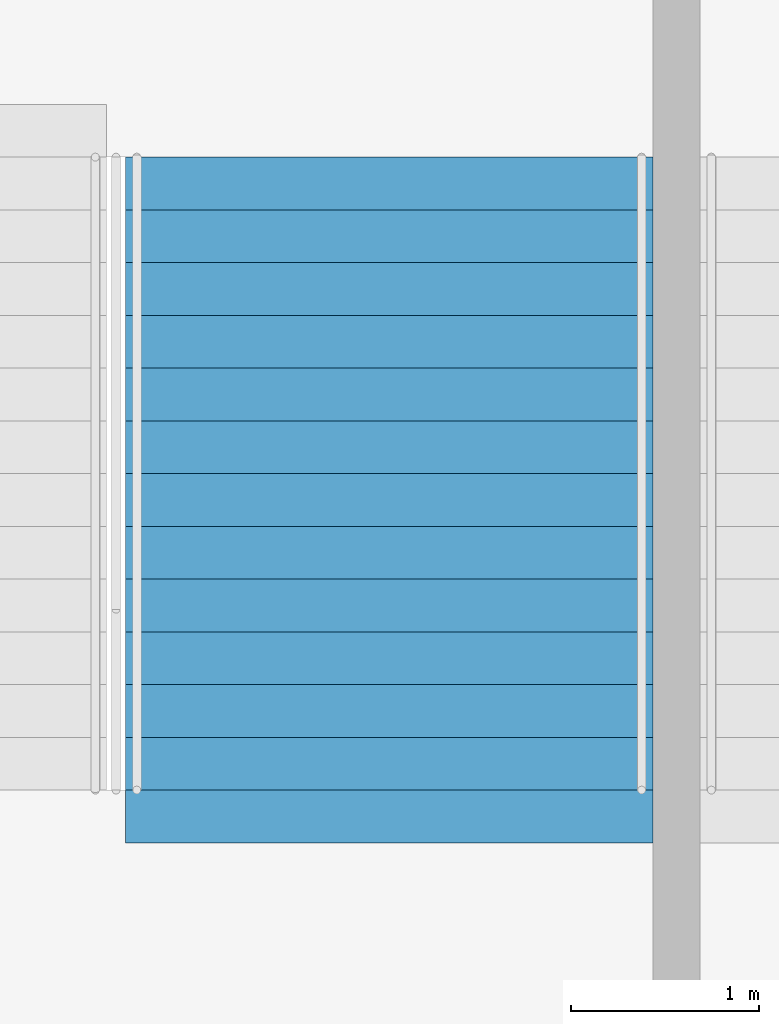
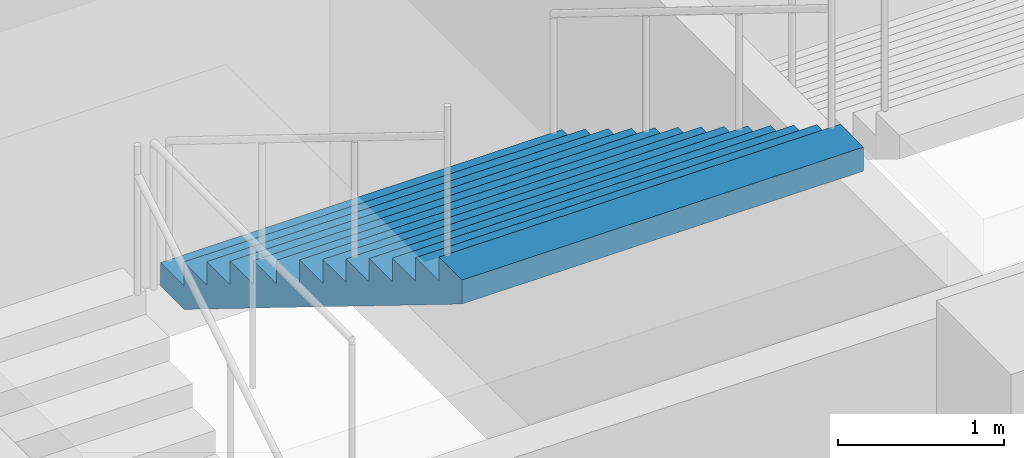
# One storey, part 167 of 199: 1 stair flight, 1 element without a shape of its own.
"""IFC4 building model written with IfcOpenShell, lengths in metres."""

from ifc_helpers import new_model, si_unit, direction, frame, origin, place, context, subcontext, project, spatial, faceted_brep, material, type_object, element, aggregate, save


model = new_model("IFC4")

# Units and contexts
model_context = context("Model", 3, precision=1e-05, world=origin(), true_north=direction((0.0, 1.0)))
body_context = subcontext(model_context, "Body", "Model", "MODEL_VIEW")
ifc_project = project(units=[si_unit("LENGTHUNIT", "METRE"), si_unit("AREAUNIT", "SQUARE_METRE"), si_unit("VOLUMEUNIT", "CUBIC_METRE"), si_unit("PLANEANGLEUNIT", "RADIAN"), si_unit("MASSUNIT", "GRAM", prefix="KILO")], contexts=[model_context])

# Site, building, storey
site_placement = place(None, origin())
site = spatial("IfcSite", under=ifc_project, at=site_placement, CompositionType="ELEMENT")
building_placement = place(site_placement, origin())
building = spatial("IfcBuilding", under=site, at=building_placement, Name="Ogive Plaza Stadium", CompositionType="ELEMENT")
storey_placement = place(building_placement, frame((0.0, 0.0, 4.5)))
storey = spatial("IfcBuildingStorey", under=building, at=storey_placement, Name="L01", CompositionType="ELEMENT", Elevation=4.5)

# Stair, stair flight
ifc_material_1 = material(Name="Concrete C40/50", Category="concrete")
stair_type = type_object("IfcStairType", Name="Exit stair", PredefinedType="STRAIGHT_RUN_STAIR", material=ifc_material_1)
stair_placement = place(storey_placement, origin())
stair = element("IfcStair", 1, at=stair_placement, inside=storey, type_object=stair_type, Name="Exit stair ST34B L01 to L02", PredefinedType="STRAIGHT_RUN_STAIR")
ifc_material_2 = material(Name="Concrete C40/50", Category="concrete")
stair_flight_type = type_object("IfcStairFlightType", Name="Exit stair flight", PredefinedType="STRAIGHT", material=ifc_material_2)
stair_flight_placement = place(storey_placement, frame((-8.324951171875, 98.2099609375, 2.25), z_axis=(0.0, 0.0, 1.0), x_axis=(0.0, -1.0, 0.0)))
stair_flight = element("IfcStairFlight", 2, at=stair_flight_placement, type_object=stair_flight_type, Name="ST34B flight 2", NumberOfRisers=13, NumberOfTreads=12, PredefinedType="STRAIGHT", RiserHeight=0.173076923, TreadLength=0.28, context=body_context, shape_type="Brep", body=[
    faceted_brep([(0.28515625, -1.39990234375, 0.0), (3.639892578125, -1.39990234375, 2.07373046875), (3.639892578125, -1.39990234375, 2.25), (3.360107421875, -1.39990234375, 2.25), (3.360107421875, -1.39990234375, 2.076904296875), (3.080078125, -1.39990234375, 2.076904296875), (3.080078125, -1.39990234375, 1.90380859375), (2.800048828125, -1.39990234375, 1.90380859375), (2.800048828125, -1.39990234375, 1.730712890625), (2.52001953125, -1.39990234375, 1.730712890625), (2.52001953125, -1.39990234375, 1.5576171875), (2.239990234375, -1.39990234375, 1.5576171875), (2.239990234375, -1.39990234375, 1.384521484375), (1.9599609375, -1.39990234375, 1.384521484375), (1.9599609375, -1.39990234375, 1.21142578125), (1.679931640625, -1.39990234375, 1.21142578125), (1.679931640625, -1.39990234375, 1.03857421875), (1.39990234375, -1.39990234375, 1.03857421875), (1.39990234375, -1.39990234375, 0.865478515625), (1.1201171875, -1.39990234375, 0.865478515625), (1.1201171875, -1.39990234375, 0.6923828125), (0.840087890625, -1.39990234375, 0.6923828125), (0.840087890625, -1.39990234375, 0.519287109375), (0.56005859375, -1.39990234375, 0.519287109375), (0.56005859375, -1.39990234375, 0.34619140625), (0.280029296875, -1.39990234375, 0.34619140625), (0.280029296875, -1.39990234375, 0.173095703125), (0.0, -1.39990234375, 0.173095703125), (0.0, -1.39990234375, 0.0), (0.0, 1.39990234375, 0.0), (0.0, 1.39990234375, 0.173095703125), (0.280029296875, 1.39990234375, 0.173095703125), (0.280029296875, 1.39990234375, 0.34619140625), (0.56005859375, 1.39990234375, 0.34619140625), (0.56005859375, 1.39990234375, 0.519287109375), (0.840087890625, 1.39990234375, 0.519287109375), (0.840087890625, 1.39990234375, 0.6923828125), (1.1201171875, 1.39990234375, 0.6923828125), (1.1201171875, 1.39990234375, 0.865478515625), (1.39990234375, 1.39990234375, 0.865478515625), (1.39990234375, 1.39990234375, 1.03857421875), (1.679931640625, 1.39990234375, 1.03857421875), (1.679931640625, 1.39990234375, 1.21142578125), (1.9599609375, 1.39990234375, 1.21142578125), (1.9599609375, 1.39990234375, 1.384521484375), (2.239990234375, 1.39990234375, 1.384521484375), (2.239990234375, 1.39990234375, 1.5576171875), (2.52001953125, 1.39990234375, 1.5576171875), (2.52001953125, 1.39990234375, 1.730712890625), (2.800048828125, 1.39990234375, 1.730712890625), (2.800048828125, 1.39990234375, 1.90380859375), (3.080078125, 1.39990234375, 1.90380859375), (3.080078125, 1.39990234375, 2.076904296875), (3.360107421875, 1.39990234375, 2.076904296875), (3.360107421875, 1.39990234375, 2.25), (3.639892578125, 1.39990234375, 2.25), (3.639892578125, 1.39990234375, 2.07373046875), (0.28515625, 1.39990234375, 0.0), (0.28515625, -1.0888671875, 0.0), (3.639892578125, -1.0888671875, 2.07373046875), (0.28515625, -0.77783203125, 0.0), (3.639892578125, -0.77783203125, 2.07373046875), (0.28515625, -0.466796875, 0.0), (3.639892578125, -0.466796875, 2.07373046875), (0.28515625, -0.155517578125, 0.0), (3.639892578125, -0.155517578125, 2.07373046875), (0.28515625, 0.155517578125, 0.0), (3.639892578125, 0.155517578125, 2.07373046875), (0.28515625, 0.466796875, 0.0), (3.639892578125, 0.466796875, 2.07373046875), (0.28515625, 0.77783203125, 0.0), (3.639892578125, 0.77783203125, 2.07373046875), (0.28515625, 1.0888671875, 0.0), (3.639892578125, 1.0888671875, 2.07373046875), (3.639892578125, -1.0888671875, 2.25), (3.639892578125, -0.77783203125, 2.25), (3.639892578125, -0.466796875, 2.25), (3.639892578125, -0.155517578125, 2.25), (3.639892578125, 0.155517578125, 2.25), (3.639892578125, 0.466796875, 2.25), (3.639892578125, 0.77783203125, 2.25), (3.639892578125, 1.0888671875, 2.25), (3.360107421875, -1.0888671875, 2.25), (3.360107421875, -0.77783203125, 2.25), (3.360107421875, -0.466796875, 2.25), (3.360107421875, -0.155517578125, 2.25), (3.360107421875, 0.155517578125, 2.25), (3.360107421875, 0.466796875, 2.25), (3.360107421875, 0.77783203125, 2.25), (3.360107421875, 1.0888671875, 2.25), (3.360107421875, -1.0888671875, 2.076904296875), (3.360107421875, -0.77783203125, 2.076904296875), (3.360107421875, -0.466796875, 2.076904296875), (3.360107421875, -0.155517578125, 2.076904296875), (3.360107421875, 0.155517578125, 2.076904296875), (3.360107421875, 0.466796875, 2.076904296875), (3.360107421875, 0.77783203125, 2.076904296875), (3.360107421875, 1.0888671875, 2.076904296875), (3.080078125, -1.0888671875, 2.076904296875), (3.080078125, -0.77783203125, 2.076904296875), (3.080078125, -0.466796875, 2.076904296875), (3.080078125, -0.155517578125, 2.076904296875), (3.080078125, 0.155517578125, 2.076904296875), (3.080078125, 0.466796875, 2.076904296875), (3.080078125, 0.77783203125, 2.076904296875), (3.080078125, 1.0888671875, 2.076904296875), (3.080078125, -1.0888671875, 1.90380859375), (3.080078125, -0.77783203125, 1.90380859375), (3.080078125, -0.466796875, 1.90380859375), (3.080078125, -0.155517578125, 1.90380859375), (3.080078125, 0.155517578125, 1.90380859375), (3.080078125, 0.466796875, 1.90380859375), (3.080078125, 0.77783203125, 1.90380859375), (3.080078125, 1.0888671875, 1.90380859375), (2.800048828125, -1.0888671875, 1.90380859375), (2.800048828125, -0.77783203125, 1.90380859375), (2.800048828125, -0.466796875, 1.90380859375), (2.800048828125, -0.155517578125, 1.90380859375), (2.800048828125, 0.155517578125, 1.90380859375), (2.800048828125, 0.466796875, 1.90380859375), (2.800048828125, 0.77783203125, 1.90380859375), (2.800048828125, 1.0888671875, 1.90380859375), (2.800048828125, -1.0888671875, 1.730712890625), (2.800048828125, -0.77783203125, 1.730712890625), (2.800048828125, -0.466796875, 1.730712890625), (2.800048828125, -0.155517578125, 1.730712890625), (2.800048828125, 0.155517578125, 1.730712890625), (2.800048828125, 0.466796875, 1.730712890625), (2.800048828125, 0.77783203125, 1.730712890625), (2.800048828125, 1.0888671875, 1.730712890625), (2.52001953125, -1.0888671875, 1.730712890625), (2.52001953125, -0.77783203125, 1.730712890625), (2.52001953125, -0.466796875, 1.730712890625), (2.52001953125, -0.155517578125, 1.730712890625), (2.52001953125, 0.155517578125, 1.730712890625), (2.52001953125, 0.466796875, 1.730712890625), (2.52001953125, 0.77783203125, 1.730712890625), (2.52001953125, 1.0888671875, 1.730712890625), (2.52001953125, -1.0888671875, 1.5576171875), (2.52001953125, -0.77783203125, 1.5576171875), (2.52001953125, -0.466796875, 1.5576171875), (2.52001953125, -0.155517578125, 1.5576171875), (2.52001953125, 0.155517578125, 1.5576171875), (2.52001953125, 0.466796875, 1.5576171875), (2.52001953125, 0.77783203125, 1.5576171875), (2.52001953125, 1.0888671875, 1.5576171875), (2.239990234375, -1.0888671875, 1.5576171875), (2.239990234375, -0.77783203125, 1.5576171875), (2.239990234375, -0.466796875, 1.5576171875), (2.239990234375, -0.155517578125, 1.5576171875), (2.239990234375, 0.155517578125, 1.5576171875), (2.239990234375, 0.466796875, 1.5576171875), (2.239990234375, 0.77783203125, 1.5576171875), (2.239990234375, 1.0888671875, 1.5576171875), (2.239990234375, -1.0888671875, 1.384521484375), (2.239990234375, -0.77783203125, 1.384521484375), (2.239990234375, -0.466796875, 1.384521484375), (2.239990234375, -0.155517578125, 1.384521484375), (2.239990234375, 0.155517578125, 1.384521484375), (2.239990234375, 0.466796875, 1.384521484375), (2.239990234375, 0.77783203125, 1.384521484375), (2.239990234375, 1.0888671875, 1.384521484375), (1.9599609375, -1.0888671875, 1.384521484375), (1.9599609375, -0.77783203125, 1.384521484375), (1.9599609375, -0.466796875, 1.384521484375), (1.9599609375, -0.155517578125, 1.384521484375), (1.9599609375, 0.155517578125, 1.384521484375), (1.9599609375, 0.466796875, 1.384521484375), (1.9599609375, 0.77783203125, 1.384521484375), (1.9599609375, 1.0888671875, 1.384521484375), (1.9599609375, -1.0888671875, 1.21142578125), (1.9599609375, -0.77783203125, 1.21142578125), (1.9599609375, -0.466796875, 1.21142578125), (1.9599609375, -0.155517578125, 1.21142578125), (1.9599609375, 0.155517578125, 1.21142578125), (1.9599609375, 0.466796875, 1.21142578125), (1.9599609375, 0.77783203125, 1.21142578125), (1.9599609375, 1.0888671875, 1.21142578125), (1.679931640625, -1.0888671875, 1.21142578125), (1.679931640625, -0.77783203125, 1.21142578125), (1.679931640625, -0.466796875, 1.21142578125), (1.679931640625, -0.155517578125, 1.21142578125), (1.679931640625, 0.155517578125, 1.21142578125), (1.679931640625, 0.466796875, 1.21142578125), (1.679931640625, 0.77783203125, 1.21142578125), (1.679931640625, 1.0888671875, 1.21142578125), (1.679931640625, -1.0888671875, 1.03857421875), (1.679931640625, -0.77783203125, 1.03857421875), (1.679931640625, -0.466796875, 1.03857421875), (1.679931640625, -0.155517578125, 1.03857421875), (1.679931640625, 0.155517578125, 1.03857421875), (1.679931640625, 0.466796875, 1.03857421875), (1.679931640625, 0.77783203125, 1.03857421875), (1.679931640625, 1.0888671875, 1.03857421875), (1.39990234375, -1.0888671875, 1.03857421875), (1.39990234375, -0.77783203125, 1.03857421875), (1.39990234375, -0.466796875, 1.03857421875), (1.39990234375, -0.155517578125, 1.03857421875), (1.39990234375, 0.155517578125, 1.03857421875), (1.39990234375, 0.466796875, 1.03857421875), (1.39990234375, 0.77783203125, 1.03857421875), (1.39990234375, 1.0888671875, 1.03857421875), (1.39990234375, -1.0888671875, 0.865478515625), (1.39990234375, -0.77783203125, 0.865478515625), (1.39990234375, -0.466796875, 0.865478515625), (1.39990234375, -0.155517578125, 0.865478515625), (1.39990234375, 0.155517578125, 0.865478515625), (1.39990234375, 0.466796875, 0.865478515625), (1.39990234375, 0.77783203125, 0.865478515625), (1.39990234375, 1.0888671875, 0.865478515625), (1.1201171875, -1.0888671875, 0.865478515625), (1.1201171875, -0.77783203125, 0.865478515625), (1.1201171875, -0.466796875, 0.865478515625), (1.1201171875, -0.155517578125, 0.865478515625), (1.1201171875, 0.155517578125, 0.865478515625), (1.1201171875, 0.466796875, 0.865478515625), (1.1201171875, 0.77783203125, 0.865478515625), (1.1201171875, 1.0888671875, 0.865478515625), (1.1201171875, -1.0888671875, 0.6923828125), (1.1201171875, -0.77783203125, 0.6923828125), (1.1201171875, -0.466796875, 0.6923828125), (1.1201171875, -0.155517578125, 0.6923828125), (1.1201171875, 0.155517578125, 0.6923828125), (1.1201171875, 0.466796875, 0.6923828125), (1.1201171875, 0.77783203125, 0.6923828125), (1.1201171875, 1.0888671875, 0.6923828125), (0.840087890625, -1.0888671875, 0.6923828125), (0.840087890625, -0.77783203125, 0.6923828125), (0.840087890625, -0.466796875, 0.6923828125), (0.840087890625, -0.155517578125, 0.6923828125), (0.840087890625, 0.155517578125, 0.6923828125), (0.840087890625, 0.466796875, 0.6923828125), (0.840087890625, 0.77783203125, 0.6923828125), (0.840087890625, 1.0888671875, 0.6923828125), (0.840087890625, -1.0888671875, 0.519287109375), (0.840087890625, -0.77783203125, 0.519287109375), (0.840087890625, -0.466796875, 0.519287109375), (0.840087890625, -0.155517578125, 0.519287109375), (0.840087890625, 0.155517578125, 0.519287109375), (0.840087890625, 0.466796875, 0.519287109375), (0.840087890625, 0.77783203125, 0.519287109375), (0.840087890625, 1.0888671875, 0.519287109375), (0.56005859375, -1.0888671875, 0.519287109375), (0.56005859375, -0.77783203125, 0.519287109375), (0.56005859375, -0.466796875, 0.519287109375), (0.56005859375, -0.155517578125, 0.519287109375), (0.56005859375, 0.155517578125, 0.519287109375), (0.56005859375, 0.466796875, 0.519287109375), (0.56005859375, 0.77783203125, 0.519287109375), (0.56005859375, 1.0888671875, 0.519287109375), (0.56005859375, -1.0888671875, 0.34619140625), (0.56005859375, -0.77783203125, 0.34619140625), (0.56005859375, -0.466796875, 0.34619140625), (0.56005859375, -0.155517578125, 0.34619140625), (0.56005859375, 0.155517578125, 0.34619140625), (0.56005859375, 0.466796875, 0.34619140625), (0.56005859375, 0.77783203125, 0.34619140625), (0.56005859375, 1.0888671875, 0.34619140625), (0.280029296875, -1.0888671875, 0.34619140625), (0.280029296875, -0.77783203125, 0.34619140625), (0.280029296875, -0.466796875, 0.34619140625), (0.280029296875, -0.155517578125, 0.34619140625), (0.280029296875, 0.155517578125, 0.34619140625), (0.280029296875, 0.466796875, 0.34619140625), (0.280029296875, 0.77783203125, 0.34619140625), (0.280029296875, 1.0888671875, 0.34619140625), (0.280029296875, -1.0888671875, 0.173095703125), (0.280029296875, -0.77783203125, 0.173095703125), (0.280029296875, -0.466796875, 0.173095703125), (0.280029296875, -0.155517578125, 0.173095703125), (0.280029296875, 0.155517578125, 0.173095703125), (0.280029296875, 0.466796875, 0.173095703125), (0.280029296875, 0.77783203125, 0.173095703125), (0.280029296875, 1.0888671875, 0.173095703125), (0.0, -1.0888671875, 0.173095703125), (0.0, -0.77783203125, 0.173095703125), (0.0, -0.466796875, 0.173095703125), (0.0, -0.155517578125, 0.173095703125), (0.0, 0.155517578125, 0.173095703125), (0.0, 0.466796875, 0.173095703125), (0.0, 0.77783203125, 0.173095703125), (0.0, 1.0888671875, 0.173095703125), (0.0, -1.0888671875, 0.0), (0.0, -0.77783203125, 0.0), (0.0, -0.466796875, 0.0), (0.0, -0.155517578125, 0.0), (0.0, 0.155517578125, 0.0), (0.0, 0.466796875, 0.0), (0.0, 0.77783203125, 0.0), (0.0, 1.0888671875, 0.0)], [[[0, 1, 2, 3, 4, 5, 6, 7, 8, 9, 10, 11, 12, 13, 14, 15, 16, 17, 18, 19, 20, 21, 22, 23, 24, 25, 26, 27, 28]], [[29, 30, 31, 32, 33, 34, 35, 36, 37, 38, 39, 40, 41, 42, 43, 44, 45, 46, 47, 48, 49, 50, 51, 52, 53, 54, 55, 56, 57]], [[0, 58, 59, 1]], [[58, 60, 61, 59]], [[60, 62, 63, 61]], [[62, 64, 65, 63]], [[64, 66, 67, 65]], [[66, 68, 69, 67]], [[68, 70, 71, 69]], [[70, 72, 73, 71]], [[72, 57, 56, 73]], [[1, 59, 74, 2]], [[59, 61, 75, 74]], [[61, 63, 76, 75]], [[63, 65, 77, 76]], [[65, 67, 78, 77]], [[67, 69, 79, 78]], [[69, 71, 80, 79]], [[71, 73, 81, 80]], [[73, 56, 55, 81]], [[2, 74, 82, 3]], [[74, 75, 83, 82]], [[75, 76, 84, 83]], [[76, 77, 85, 84]], [[77, 78, 86, 85]], [[78, 79, 87, 86]], [[79, 80, 88, 87]], [[80, 81, 89, 88]], [[81, 55, 54, 89]], [[3, 82, 90, 4]], [[82, 83, 91, 90]], [[83, 84, 92, 91]], [[84, 85, 93, 92]], [[85, 86, 94, 93]], [[86, 87, 95, 94]], [[87, 88, 96, 95]], [[88, 89, 97, 96]], [[89, 54, 53, 97]], [[4, 90, 98, 5]], [[90, 91, 99, 98]], [[91, 92, 100, 99]], [[92, 93, 101, 100]], [[93, 94, 102, 101]], [[94, 95, 103, 102]], [[95, 96, 104, 103]], [[96, 97, 105, 104]], [[97, 53, 52, 105]], [[5, 98, 106, 6]], [[98, 99, 107, 106]], [[99, 100, 108, 107]], [[100, 101, 109, 108]], [[101, 102, 110, 109]], [[102, 103, 111, 110]], [[103, 104, 112, 111]], [[104, 105, 113, 112]], [[105, 52, 51, 113]], [[6, 106, 114, 7]], [[106, 107, 115, 114]], [[107, 108, 116, 115]], [[108, 109, 117, 116]], [[109, 110, 118, 117]], [[110, 111, 119, 118]], [[111, 112, 120, 119]], [[112, 113, 121, 120]], [[113, 51, 50, 121]], [[7, 114, 122, 8]], [[114, 115, 123, 122]], [[115, 116, 124, 123]], [[116, 117, 125, 124]], [[117, 118, 126, 125]], [[118, 119, 127, 126]], [[119, 120, 128, 127]], [[120, 121, 129, 128]], [[121, 50, 49, 129]], [[8, 122, 130, 9]], [[122, 123, 131, 130]], [[123, 124, 132, 131]], [[124, 125, 133, 132]], [[125, 126, 134, 133]], [[126, 127, 135, 134]], [[127, 128, 136, 135]], [[128, 129, 137, 136]], [[129, 49, 48, 137]], [[9, 130, 138, 10]], [[130, 131, 139, 138]], [[131, 132, 140, 139]], [[132, 133, 141, 140]], [[133, 134, 142, 141]], [[134, 135, 143, 142]], [[135, 136, 144, 143]], [[136, 137, 145, 144]], [[137, 48, 47, 145]], [[10, 138, 146, 11]], [[138, 139, 147, 146]], [[139, 140, 148, 147]], [[140, 141, 149, 148]], [[141, 142, 150, 149]], [[142, 143, 151, 150]], [[143, 144, 152, 151]], [[144, 145, 153, 152]], [[145, 47, 46, 153]], [[11, 146, 154, 12]], [[146, 147, 155, 154]], [[147, 148, 156, 155]], [[148, 149, 157, 156]], [[149, 150, 158, 157]], [[150, 151, 159, 158]], [[151, 152, 160, 159]], [[152, 153, 161, 160]], [[153, 46, 45, 161]], [[12, 154, 162, 13]], [[154, 155, 163, 162]], [[155, 156, 164, 163]], [[156, 157, 165, 164]], [[157, 158, 166, 165]], [[158, 159, 167, 166]], [[159, 160, 168, 167]], [[160, 161, 169, 168]], [[161, 45, 44, 169]], [[13, 162, 170, 14]], [[162, 163, 171, 170]], [[163, 164, 172, 171]], [[164, 165, 173, 172]], [[165, 166, 174, 173]], [[166, 167, 175, 174]], [[167, 168, 176, 175]], [[168, 169, 177, 176]], [[169, 44, 43, 177]], [[14, 170, 178, 15]], [[170, 171, 179, 178]], [[171, 172, 180, 179]], [[172, 173, 181, 180]], [[173, 174, 182, 181]], [[174, 175, 183, 182]], [[175, 176, 184, 183]], [[176, 177, 185, 184]], [[177, 43, 42, 185]], [[15, 178, 186, 16]], [[178, 179, 187, 186]], [[179, 180, 188, 187]], [[180, 181, 189, 188]], [[181, 182, 190, 189]], [[182, 183, 191, 190]], [[183, 184, 192, 191]], [[184, 185, 193, 192]], [[185, 42, 41, 193]], [[16, 186, 194, 17]], [[186, 187, 195, 194]], [[187, 188, 196, 195]], [[188, 189, 197, 196]], [[189, 190, 198, 197]], [[190, 191, 199, 198]], [[191, 192, 200, 199]], [[192, 193, 201, 200]], [[193, 41, 40, 201]], [[17, 194, 202, 18]], [[194, 195, 203, 202]], [[195, 196, 204, 203]], [[196, 197, 205, 204]], [[197, 198, 206, 205]], [[198, 199, 207, 206]], [[199, 200, 208, 207]], [[200, 201, 209, 208]], [[201, 40, 39, 209]], [[18, 202, 210, 19]], [[202, 203, 211, 210]], [[203, 204, 212, 211]], [[204, 205, 213, 212]], [[205, 206, 214, 213]], [[206, 207, 215, 214]], [[207, 208, 216, 215]], [[208, 209, 217, 216]], [[209, 39, 38, 217]], [[19, 210, 218, 20]], [[210, 211, 219, 218]], [[211, 212, 220, 219]], [[212, 213, 221, 220]], [[213, 214, 222, 221]], [[214, 215, 223, 222]], [[215, 216, 224, 223]], [[216, 217, 225, 224]], [[217, 38, 37, 225]], [[20, 218, 226, 21]], [[218, 219, 227, 226]], [[219, 220, 228, 227]], [[220, 221, 229, 228]], [[221, 222, 230, 229]], [[222, 223, 231, 230]], [[223, 224, 232, 231]], [[224, 225, 233, 232]], [[225, 37, 36, 233]], [[21, 226, 234, 22]], [[226, 227, 235, 234]], [[227, 228, 236, 235]], [[228, 229, 237, 236]], [[229, 230, 238, 237]], [[230, 231, 239, 238]], [[231, 232, 240, 239]], [[232, 233, 241, 240]], [[233, 36, 35, 241]], [[22, 234, 242, 23]], [[234, 235, 243, 242]], [[235, 236, 244, 243]], [[236, 237, 245, 244]], [[237, 238, 246, 245]], [[238, 239, 247, 246]], [[239, 240, 248, 247]], [[240, 241, 249, 248]], [[241, 35, 34, 249]], [[23, 242, 250, 24]], [[242, 243, 251, 250]], [[243, 244, 252, 251]], [[244, 245, 253, 252]], [[245, 246, 254, 253]], [[246, 247, 255, 254]], [[247, 248, 256, 255]], [[248, 249, 257, 256]], [[249, 34, 33, 257]], [[24, 250, 258, 25]], [[250, 251, 259, 258]], [[251, 252, 260, 259]], [[252, 253, 261, 260]], [[253, 254, 262, 261]], [[254, 255, 263, 262]], [[255, 256, 264, 263]], [[256, 257, 265, 264]], [[257, 33, 32, 265]], [[25, 258, 266, 26]], [[258, 259, 267, 266]], [[259, 260, 268, 267]], [[260, 261, 269, 268]], [[261, 262, 270, 269]], [[262, 263, 271, 270]], [[263, 264, 272, 271]], [[264, 265, 273, 272]], [[265, 32, 31, 273]], [[26, 266, 274, 27]], [[266, 267, 275, 274]], [[267, 268, 276, 275]], [[268, 269, 277, 276]], [[269, 270, 278, 277]], [[270, 271, 279, 278]], [[271, 272, 280, 279]], [[272, 273, 281, 280]], [[273, 31, 30, 281]], [[27, 274, 282, 28]], [[274, 275, 283, 282]], [[275, 276, 284, 283]], [[276, 277, 285, 284]], [[277, 278, 286, 285]], [[278, 279, 287, 286]], [[279, 280, 288, 287]], [[280, 281, 289, 288]], [[281, 30, 29, 289]], [[28, 282, 58, 0]], [[282, 283, 60, 58]], [[283, 284, 62, 60]], [[284, 285, 64, 62]], [[285, 286, 66, 64]], [[286, 287, 68, 66]], [[287, 288, 70, 68]], [[288, 289, 72, 70]], [[289, 29, 57, 72]]]),
])
aggregate(stair, [stair_flight])

save(model, "model.ifc")
